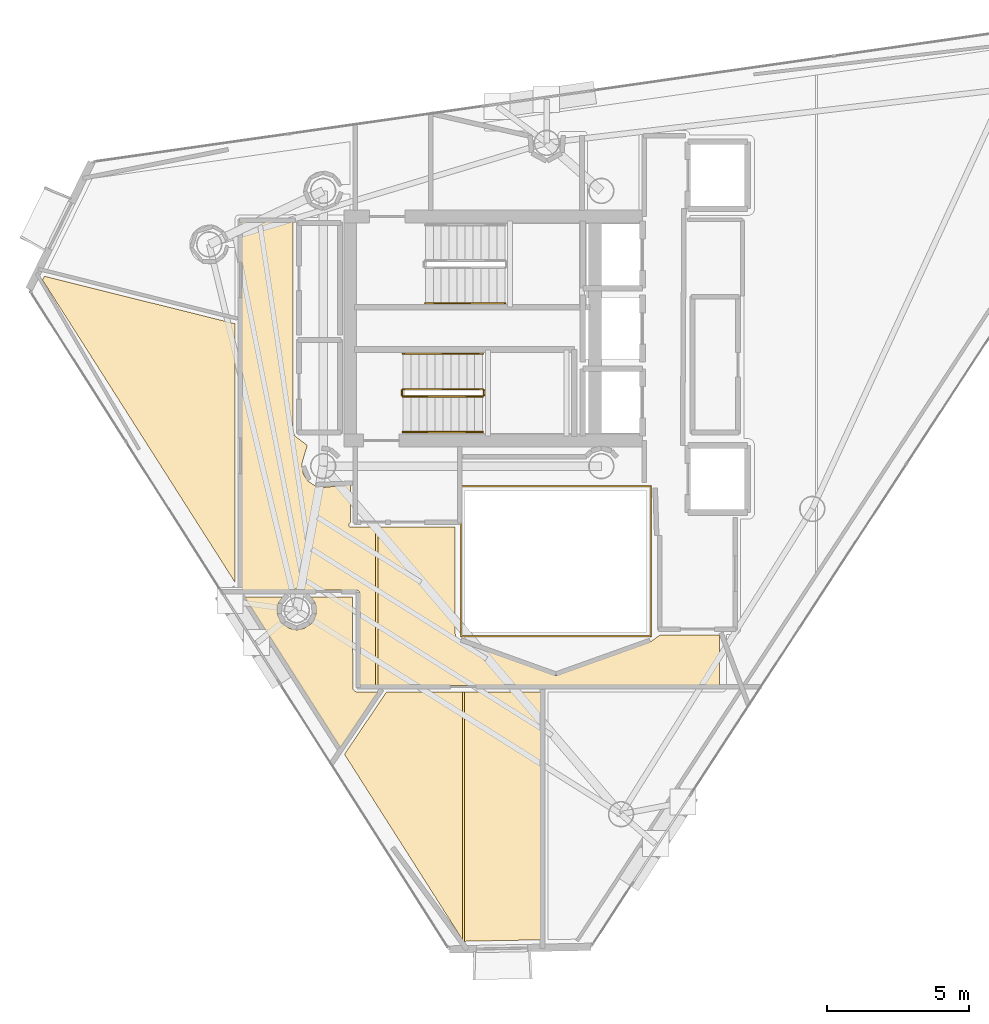
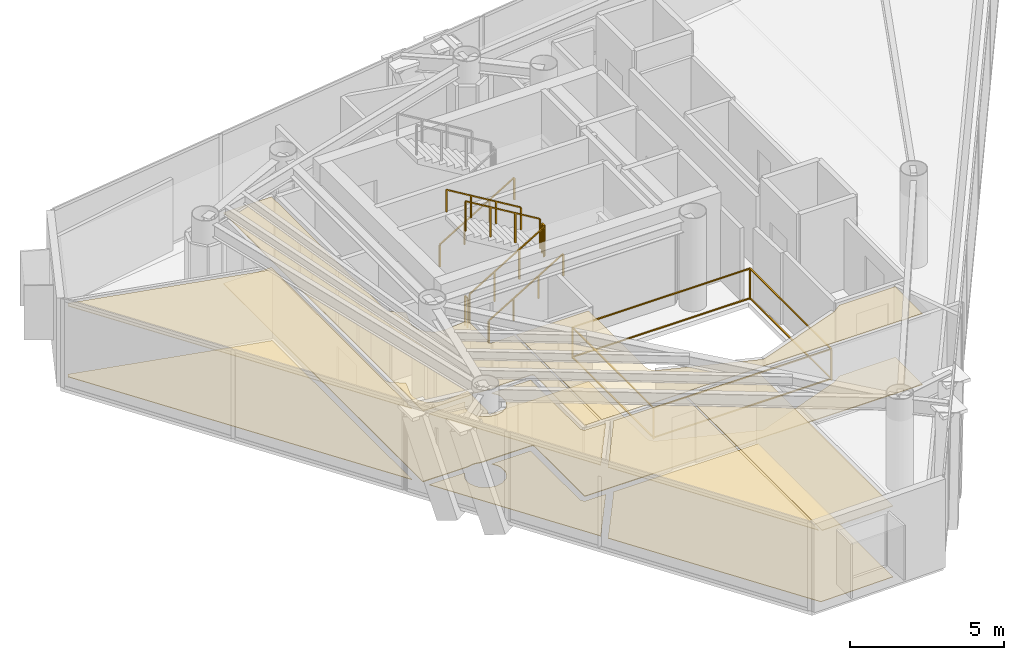
# One storey, part 23 of 25: 10 coverings, 8 railings.
"""IFC4 building model written with IfcOpenShell, lengths in metres."""

import ifcopenshell
import ifcopenshell.guid

model = None  # the IFC model being written
_history = None  # IfcOwnerHistory: only IFC2X3 demands one
_inside = {}  # id of a spatial element -> (the spatial element, [elements in it])
_under = {}  # id of a project, library or spatial element -> (it, [spatial elements below it])
_declared = {}  # id of a project -> (the project, [libraries it declares])
_typed = {}  # id of a type object -> (the type object, [elements of that type])
_made_of = {}  # id of a material, layer set ... -> (it, [elements and type objects made of it])


def new_model(schema):
    """Start an empty IFC model of exactly this schema.

    Asked for "IFC4X3", IfcOpenShell would pick the latest addendum, in which some entities
    have other attributes; the version numbers below select the first issue.
    IFC2X3 requires an IfcOwnerHistory on every rooted entity: one is made here for all.
    """
    global model, _history
    if schema == "IFC4X3":
        model = ifcopenshell.file(schema_version=(4, 3, 0, 0))
    else:
        model = ifcopenshell.file(schema=schema)
    _inside.clear()
    _under.clear()
    _declared.clear()
    _typed.clear()
    _made_of.clear()
    _history = None
    if model.schema == "IFC2X3":
        org = make("IfcOrganization", Name="unknown")
        user = make(
            "IfcPersonAndOrganization",
            ThePerson=make("IfcPerson", FamilyName="unknown"),
            TheOrganization=org,
        )
        app = make(
            "IfcApplication",
            ApplicationDeveloper=org,
            Version="unknown",
            ApplicationFullName="unknown",
            ApplicationIdentifier="unknown",
        )
        _history = make(
            "IfcOwnerHistory",
            OwningUser=user,
            OwningApplication=app,
            ChangeAction="ADDED",
            CreationDate=0,
        )
    return model


def make(cls, **values):
    """One entity of the class cls with the attributes given. An attribute that is None is left unset."""
    return model.create_entity(
        cls, **{name: value for name, value in values.items() if value is not None}
    )


def rooted(cls, **values):
    """An entity with a GlobalId (a new one), such as an element, a storey or a relation."""
    return make(cls, GlobalId=ifcopenshell.guid.new(), OwnerHistory=_history, **values)


def si_unit(unit_type, name, prefix=None):
    """IfcSIUnit, for example si_unit("LENGTHUNIT", "METRE", prefix="MILLI")."""
    return make("IfcSIUnit", UnitType=unit_type, Prefix=prefix, Name=name)


def assignment(units):
    """IfcUnitAssignment: the units of a project."""
    return None if units is None else make("IfcUnitAssignment", Units=units)


def point(xyz):
    """IfcCartesianPoint."""
    return None if xyz is None else make("IfcCartesianPoint", Coordinates=xyz)


def direction(xyz):
    """IfcDirection."""
    return None if xyz is None else make("IfcDirection", DirectionRatios=xyz)


def frame(location, z_axis=None, x_axis=None):
    """IfcAxis2Placement3D, a coordinate frame: its origin and axes. An axis left out is left unset."""
    return make(
        "IfcAxis2Placement3D",
        Location=point(location),
        Axis=direction(z_axis),
        RefDirection=direction(x_axis),
    )


def frame_2d(location, x_axis=None):
    """IfcAxis2Placement2D, a coordinate frame in the plane: its origin and x axis."""
    return make(
        "IfcAxis2Placement2D", Location=point(location), RefDirection=direction(x_axis)
    )


def origin():
    """The frame at (0, 0, 0) with its axes left unset."""
    return frame((0.0, 0.0, 0.0))


def origin_2d():
    """The frame at (0, 0) in the plane with its x axis left unset."""
    return frame_2d((0.0, 0.0))


def place(relative_to, where):
    """IfcLocalPlacement: puts the frame where relative to a parent placement (None: the world)."""
    return make(
        "IfcLocalPlacement", PlacementRelTo=relative_to, RelativePlacement=where
    )


def context(
    kind, dimensions, precision=None, world=None, true_north=None, identifier=None
):
    """IfcGeometricRepresentationContext, for example the 3D "Model" context."""
    return make(
        "IfcGeometricRepresentationContext",
        ContextIdentifier=identifier,
        ContextType=kind,
        CoordinateSpaceDimension=dimensions,
        Precision=precision,
        WorldCoordinateSystem=world,
        TrueNorth=true_north,
    )


def subcontext(parent, identifier, kind, view, scale=None):
    """IfcGeometricRepresentationSubContext, for example "Body" below "Model"."""
    return make(
        "IfcGeometricRepresentationSubContext",
        ContextIdentifier=identifier,
        ContextType=kind,
        ParentContext=parent,
        TargetScale=scale,
        TargetView=view,
    )


def project(units=None, contexts=None):
    """IfcProject with its units and contexts."""
    return rooted(
        "IfcProject",
        Name="project",
        RepresentationContexts=contexts,
        UnitsInContext=assignment(units),
    )


def spatial(cls, under=None, at=None, **own):
    """A site, building, storey or space (cls), placed at a placement, below another one or the project."""
    s = rooted(cls, ObjectPlacement=at, **own)
    if under is not None:
        _under.setdefault(under.id(), (under, []))[1].append(s)
    return s


def polyline(points):
    """IfcPolyline through the points."""
    return make("IfcPolyline", Points=[point(p) for p in points])


def profile(cls, at=None, kind="AREA", **sizes):
    """A parametric profile (cls). Its sizes go by their IFC names, for example OverallWidth=200.0."""
    return make(cls, ProfileType=kind, Position=at, **sizes)


def rectangle(**sizes):
    """IfcRectangleProfileDef."""
    return profile("IfcRectangleProfileDef", **sizes)


def outline(outer, holes=None, kind="AREA"):
    """IfcArbitraryClosedProfileDef: a profile drawn as a closed curve; with holes, ...WithVoids."""
    if holes is None:
        return make("IfcArbitraryClosedProfileDef", ProfileType=kind, OuterCurve=outer)
    return make(
        "IfcArbitraryProfileDefWithVoids",
        ProfileType=kind,
        OuterCurve=outer,
        InnerCurves=holes,
    )


def extrude(swept, where, along, depth):
    """IfcExtrudedAreaSolid: the profile swept, set in the frame where, extruded along a direction by depth."""
    return make(
        "IfcExtrudedAreaSolid",
        SweptArea=swept,
        Position=where,
        ExtrudedDirection=direction(along),
        Depth=depth,
    )


def shape(context_of_items, identifier, shape_type, items):
    """IfcShapeRepresentation: the items that make up one representation, for example the "Body"."""
    return make(
        "IfcShapeRepresentation",
        ContextOfItems=context_of_items,
        RepresentationIdentifier=identifier,
        RepresentationType=shape_type,
        Items=items,
    )


def material(Name=None, Category=None):
    """IfcMaterial."""
    return make("IfcMaterial", Name=Name, Category=Category)


def layer(
    of_material, thickness, ventilated=None, Name=None, Category=None, Priority=None
):
    """IfcMaterialLayer: one layer of a wall or slab, of a material (None: an air gap)."""
    return make(
        "IfcMaterialLayer",
        Material=of_material,
        LayerThickness=thickness,
        IsVentilated=ventilated,
        Name=Name,
        Category=Category,
        Priority=Priority,
    )


def layer_set(layers, Name=None):
    """IfcMaterialLayerSet."""
    return make("IfcMaterialLayerSet", MaterialLayers=layers, LayerSetName=Name)


def made_of(thing, what):
    """Note that an element or type object is made of a material, layer set ...; save() writes the relation."""
    if what is not None:
        _made_of.setdefault(what.id(), (what, []))[1].append(thing)
    return thing


def type_object(cls, material=None, **own):
    """A type object (cls), such as IfcWallType, which elements share."""
    return made_of(rooted(cls, **own), material)


def element(
    cls,
    number,
    at=None,
    inside=None,
    cuts=None,
    type_object=None,
    material=None,
    context=None,
    identifier="Body",
    shape_type=None,
    held_by="IfcProductDefinitionShape",
    body=None,
    shapes=None,
    **own,
):
    """One element of the class cls, such as IfcWall. Its Tag is "e" and its number.

    at: its placement. inside: the storey or other place that contains it. cuts: it is an
    opening in that element (IfcRelVoidsElement). A single representation is given by context,
    identifier, shape_type and body (its items); several are given by shapes. held_by: the class
    of the entity that holds the representations. save() writes the other relations.
    """
    e = rooted(cls, Tag="e%d" % number, ObjectPlacement=at, **own)
    if body is not None:
        shapes = [shape(context, identifier, shape_type, body)]
    if shapes is not None:
        e.Representation = make(held_by, Representations=shapes)
    if inside is not None:
        _inside.setdefault(inside.id(), (inside, []))[1].append(e)
    if cuts is not None:
        rooted(
            "IfcRelVoidsElement", RelatingBuildingElement=cuts, RelatedOpeningElement=e
        )
    if type_object is not None:
        _typed.setdefault(type_object.id(), (type_object, []))[1].append(e)
    return made_of(e, material)


def aggregate(whole, parts):
    """IfcRelAggregates: a whole, such as a stair, and the parts it consists of."""
    return rooted("IfcRelAggregates", RelatingObject=whole, RelatedObjects=parts)


def save(model, path):
    """Write the relations noted so far, then the file.

    IfcRelAggregates (storeys below a building ...), IfcRelContainedInSpatialStructure (elements
    in a storey), IfcRelDefinesByType, IfcRelAssociatesMaterial and IfcRelDeclares: one each for
    every whole, place, type object, material and project.
    """
    for whole, parts in _under.values():
        aggregate(whole, parts)
    for where, things in _inside.values():
        rooted(
            "IfcRelContainedInSpatialStructure",
            RelatedElements=things,
            RelatingStructure=where,
        )
    for kind, things in _typed.values():
        rooted("IfcRelDefinesByType", RelatedObjects=things, RelatingType=kind)
    for what, things in _made_of.values():
        rooted("IfcRelAssociatesMaterial", RelatedObjects=things, RelatingMaterial=what)
    for by, libraries in _declared.values():
        rooted("IfcRelDeclares", RelatingContext=by, RelatedDefinitions=libraries)
    model.write(path)


model = new_model("IFC4")

# Units and contexts
model_context = context("Model", 3, precision=1e-05, world=origin(), true_north=direction((0.0, 1.0)))
body_context = subcontext(model_context, "Body", "Model", "MODEL_VIEW")
ifc_project = project(units=[si_unit("LENGTHUNIT", "METRE"), si_unit("AREAUNIT", "SQUARE_METRE"), si_unit("VOLUMEUNIT", "CUBIC_METRE"), si_unit("PLANEANGLEUNIT", "RADIAN"), si_unit("MASSUNIT", "GRAM", prefix="KILO")], contexts=[model_context])

# Site, building, storey
site_placement = place(None, origin())
site = spatial("IfcSite", under=ifc_project, at=site_placement, CompositionType="ELEMENT")
building_placement = place(site_placement, origin())
building = spatial("IfcBuilding", under=site, at=building_placement, Name="Qianvela Tower", CompositionType="ELEMENT")
storey_placement = place(building_placement, frame((0.0, 0.0, 288.0)))
storey = spatial("IfcBuildingStorey", under=building, at=storey_placement, Name="L74", CompositionType="ELEMENT", Elevation=288.0)

# Coverings
ifc_material_1 = material(Name="Perforated Mineral Acoustic Ceiling Tile")
ifc_layer_1 = layer(ifc_material_1, 0.02490234375)
ifc_layer_set_1 = layer_set([ifc_layer_1], Name="Perforated Mineral Acoustic Ceiling Tile")
covering_type_1 = type_object("IfcCoveringType", Name="COV-CEIL-ACOUSTIC-25", PredefinedType="CEILING", material=ifc_layer_set_1)
covering_1_placement = place(storey_placement, frame((0.0, 0.0, 2.81494140625)))
element("IfcCovering", 1, at=covering_1_placement, inside=storey, type_object=covering_type_1, Name="L74 Acoustic Ceiling Bay 1 L74 Floor Corridor", PredefinedType="CEILING", context=body_context, shape_type="SweptSolid", body=[
    extrude(outline(polyline([(27.85009765625, 23.85009765625), (27.850341796875, 23.84228515625), (27.8515625, 23.83447265625), (27.902587890625, 23.577880859375), (27.904296875, 23.5703125), (27.906982421875, 23.56298828125), (27.910400390625, 23.555908203125), (27.91455078125, 23.54931640625), (28.059814453125, 23.331787109375), (28.064453125, 23.325439453125), (28.069580078125, 23.319580078125), (28.075439453125, 23.314453125), (28.081787109375, 23.309814453125), (28.29931640625, 23.16455078125), (28.305908203125, 23.160400390625), (28.31298828125, 23.156982421875), (28.3203125, 23.154296875), (28.327880859375, 23.152587890625), (28.58447265625, 23.1015625), (28.59228515625, 23.100341796875), (28.60009765625, 23.10009765625), (28.60791015625, 23.100341796875), (29.55810546875, 23.194091796875), (29.55810546875, 21.877685546875), (29.52001953125, 21.82958984375), (29.515380859375, 21.822998046875), (29.51171875, 21.81640625), (29.508544921875, 21.809326171875), (29.506103515625, 21.802001953125), (29.504150390625, 21.794189453125), (29.503173828125, 21.78662109375), (29.5029296875, 21.77880859375), (29.50341796875, 21.77099609375), (29.504638671875, 21.763427734375), (29.506591796875, 21.755859375), (29.50927734375, 21.74853515625), (29.5126953125, 21.74169921875), (29.516845703125, 21.735107421875), (29.521484375, 21.728759765625), (29.52685546875, 21.722900390625), (29.53271484375, 21.7177734375), (29.538818359375, 21.713134765625), (29.54541015625, 21.709228515625), (29.552490234375, 21.7060546875), (29.559814453125, 21.703369140625), (29.5673828125, 21.701416015625), (29.5751953125, 21.700439453125), (29.5830078125, 21.699951171875), (30.443115234375, 21.699951171875), (30.443115234375, 16.1298828125), (29.8798828125, 16.1298828125), (29.8798828125, 19.39990234375), (29.879638671875, 19.40771484375), (29.87841796875, 19.41552734375), (29.876708984375, 19.423095703125), (29.873779296875, 19.4306640625), (29.87060546875, 19.437744140625), (29.866455078125, 19.4443359375), (29.86181640625, 19.45068359375), (29.856689453125, 19.45654296875), (29.850830078125, 19.4619140625), (29.844482421875, 19.466552734375), (29.837646484375, 19.470703125), (29.83056640625, 19.473876953125), (29.8232421875, 19.4765625), (29.815673828125, 19.478515625), (29.807861328125, 19.4794921875), (29.800048828125, 19.47998046875), (27.910888671875, 19.47998046875), (27.684814453125, 19.522705078125), (27.677490234375, 19.523681640625), (27.669921875, 19.52392578125), (27.66259765625, 19.523681640625), (27.6552734375, 19.522705078125), (27.42919921875, 19.47998046875), (25.72998046875, 19.47998046875), (25.72998046875, 32.469970703125), (27.5400390625, 32.469970703125), (27.5400390625, 25.04638671875), (27.540283203125, 25.038818359375), (27.54150390625, 25.03125), (27.543212890625, 25.023681640625), (27.545654296875, 25.0166015625), (27.548828125, 25.009765625), (27.552734375, 25.003173828125), (27.61328125, 24.90869140625), (27.61767578125, 24.90283203125), (27.622314453125, 24.8974609375), (27.62744140625, 24.892333984375), (27.633056640625, 24.8876953125), (28.042236328125, 24.584228515625), (27.8662109375, 24.00390625), (27.864501953125, 23.996337890625), (27.86328125, 23.988525390625), (27.850341796875, 23.85791015625), (27.85009765625, 23.85009765625)])), origin(), (0.0, 0.0, 1.0), 0.025146484375),
])
covering_2_placement = place(storey_placement, frame((0.0, 0.0, 2.81494140625)))
element("IfcCovering", 2, at=covering_2_placement, inside=storey, type_object=covering_type_1, Name="L74 Acoustic Ceiling Bay 2 L74 Floor Corridor", PredefinedType="CEILING", context=body_context, shape_type="SweptSolid", body=[
    extrude(outline(polyline([(33.239990234375, 21.699951171875), (33.239990234375, 18.0), (33.240478515625, 17.990234375), (33.242431640625, 17.980712890625), (33.275390625, 17.8486328125), (33.277587890625, 17.841796875), (33.2802734375, 17.8349609375), (33.283447265625, 17.82861328125), (33.287353515625, 17.822509765625), (33.29150390625, 17.81689453125), (33.29638671875, 17.811279296875), (33.411376953125, 17.696533203125), (33.41796875, 17.690673828125), (33.42529296875, 17.685546875), (33.432861328125, 17.68115234375), (33.44091796875, 17.677734375), (36.77294921875, 16.482666015625), (36.780517578125, 16.48046875), (36.7880859375, 16.47900390625), (36.7958984375, 16.47802734375), (36.803955078125, 16.47802734375), (36.811767578125, 16.47900390625), (36.8193359375, 16.48046875), (36.826904296875, 16.482666015625), (40.134033203125, 17.666015625), (40.140869140625, 17.668701171875), (40.1474609375, 17.672119140625), (40.153564453125, 17.676025390625), (40.458740234375, 17.89306640625), (42.570068359375, 17.899658203125), (42.570068359375, 16.1298828125), (30.523193359375, 16.1298828125), (30.523193359375, 21.699951171875), (33.239990234375, 21.699951171875)])), origin(), (0.0, 0.0, 1.0), 0.025146484375),
])
covering_3_placement = place(storey_placement, frame((0.0, 0.0, 2.81494140625)))
element("IfcCovering", 3, at=covering_3_placement, inside=storey, type_object=covering_type_1, Name="L74 Acoustic Ceiling Shared Communal Kitchen L74-01", PredefinedType="CEILING", context=body_context, shape_type="SweptSolid", body=[
    extrude(outline(polyline([(27.16552734375, 19.239990234375), (27.039794921875, 19.052001953125), (27.035888671875, 19.045166015625), (27.032470703125, 19.0380859375), (27.02978515625, 19.03076171875), (26.9951171875, 18.916259765625), (26.993408203125, 18.90869140625), (26.9921875, 18.90087890625), (26.99169921875, 18.89306640625), (26.99169921875, 18.655029296875), (26.9921875, 18.647216796875), (26.993408203125, 18.639404296875), (26.9951171875, 18.6318359375), (26.997802734375, 18.62451171875), (27.0888671875, 18.404541015625), (27.09228515625, 18.3974609375), (27.09619140625, 18.390625), (27.10107421875, 18.384521484375), (27.1767578125, 18.2919921875), (27.18212890625, 18.2861328125), (27.18798828125, 18.28076171875), (27.194091796875, 18.276123046875), (27.39208984375, 18.143798828125), (27.39892578125, 18.139892578125), (27.406005859375, 18.136474609375), (27.413330078125, 18.1337890625), (27.4208984375, 18.132080078125), (27.654296875, 18.08544921875), (27.662109375, 18.08447265625), (27.669921875, 18.083984375), (27.677734375, 18.08447265625), (27.685546875, 18.08544921875), (27.9189453125, 18.132080078125), (27.9267578125, 18.1337890625), (27.93408203125, 18.136474609375), (27.941162109375, 18.139892578125), (27.947998046875, 18.143798828125), (28.145751953125, 18.276123046875), (28.152099609375, 18.28076171875), (28.157958984375, 18.2861328125), (28.1630859375, 18.2919921875), (28.239013671875, 18.384521484375), (28.24365234375, 18.390625), (28.247802734375, 18.3974609375), (28.251220703125, 18.404541015625), (28.34228515625, 18.62451171875), (28.3447265625, 18.6318359375), (28.3466796875, 18.639404296875), (28.347900390625, 18.647216796875), (28.348388671875, 18.655029296875), (28.348388671875, 18.89306640625), (28.347900390625, 18.90087890625), (28.3466796875, 18.90869140625), (28.3447265625, 18.916259765625), (28.31005859375, 19.03076171875), (28.3076171875, 19.0380859375), (28.30419921875, 19.045166015625), (28.300048828125, 19.052001953125), (28.17431640625, 19.239990234375), (29.64013671875, 19.239990234375), (29.643310546875, 16.026611328125), (29.643798828125, 16.018798828125), (29.64501953125, 16.010986328125), (29.64697265625, 16.00341796875), (29.649658203125, 15.99609375), (29.65283203125, 15.989013671875), (29.656982421875, 15.982421875), (29.66162109375, 15.97607421875), (29.6669921875, 15.97021484375), (29.672607421875, 15.96484375), (29.741455078125, 15.908447265625), (29.747802734375, 15.90380859375), (29.75439453125, 15.89990234375), (29.761474609375, 15.896484375), (29.768798828125, 15.893798828125), (29.776611328125, 15.891845703125), (29.7841796875, 15.890869140625), (29.7919921875, 15.890380859375), (30.53369140625, 15.89013671875), (29.20703125, 13.92333984375), (25.822509765625, 19.239990234375), (27.16552734375, 19.239990234375)])), origin(), (0.0, 0.0, 1.0), 0.025146484375),
])
covering_4_placement = place(storey_placement, frame((0.0, 0.0, 2.81494140625)))
element("IfcCovering", 4, at=covering_4_placement, inside=storey, type_object=covering_type_1, Name="L74 Acoustic Ceiling Bay 1 Student Tea Pantry L74-02", PredefinedType="CEILING", context=body_context, shape_type="SweptSolid", body=[
    extrude(outline(polyline([(33.506591796875, 15.891357421875), (33.506591796875, 7.169189453125), (29.35009765625, 13.698974609375), (30.827880859375, 15.889892578125), (33.506591796875, 15.891357421875)])), origin(), (0.0, 0.0, 1.0), 0.025146484375),
])
covering_5_placement = place(storey_placement, frame((0.0, 0.0, 2.81494140625)))
element("IfcCovering", 5, at=covering_5_placement, inside=storey, type_object=covering_type_1, Name="L74 Acoustic Ceiling Bay 2 Student Tea Pantry L74-02", PredefinedType="CEILING", context=body_context, shape_type="SweptSolid", body=[
    extrude(outline(polyline([(36.27880859375, 15.892822265625), (36.27880859375, 7.162109375), (33.586669921875, 7.11083984375), (33.586669921875, 15.891357421875), (36.27880859375, 15.892822265625)])), origin(), (0.0, 0.0, 1.0), 0.025146484375),
])
covering_6_placement = place(storey_placement, frame((0.0, 0.0, 2.81494140625)))
element("IfcCovering", 6, at=covering_6_placement, inside=storey, type_object=covering_type_1, Name="L74 Acoustic Ceiling Student Wellness Lounge L74-05", PredefinedType="CEILING", context=body_context, shape_type="SweptSolid", body=[
    extrude(outline(polyline([(25.489990234375, 28.86865234375), (25.489990234375, 19.762451171875), (18.711181640625, 30.411376953125), (18.775634765625, 30.542724609375), (25.489990234375, 28.86865234375)])), origin(), (0.0, 0.0, 1.0), 0.025146484375),
])
ifc_material_2 = material(Name="Engineered Acoustic Oak Timber Flooring", Category="wood")
ifc_layer_2 = layer(ifc_material_2, 0.02001953125)
ifc_layer_set_2 = layer_set([ifc_layer_2], Name="Engineered Acoustic Oak Timber Flooring")
covering_type_2 = type_object("IfcCoveringType", Name="COV-FLOOR-OAK-20", PredefinedType="FLOORING", material=ifc_layer_set_2)
covering_7_placement = place(storey_placement, origin())
element("IfcCovering", 7, at=covering_7_placement, inside=storey, type_object=covering_type_2, Name="L74 Finish Flooring Shared Communal Kitchen L74-01", PredefinedType="FLOORING", context=body_context, shape_type="SweptSolid", body=[
    extrude(outline(polyline([(27.16552734375, 19.239990234375), (27.039794921875, 19.052001953125), (27.035888671875, 19.045166015625), (27.032470703125, 19.0380859375), (27.02978515625, 19.03076171875), (26.9951171875, 18.916259765625), (26.993408203125, 18.90869140625), (26.9921875, 18.90087890625), (26.99169921875, 18.89306640625), (26.99169921875, 18.655029296875), (26.9921875, 18.647216796875), (26.993408203125, 18.639404296875), (26.9951171875, 18.6318359375), (26.997802734375, 18.62451171875), (27.0888671875, 18.404541015625), (27.09228515625, 18.3974609375), (27.09619140625, 18.390625), (27.10107421875, 18.384521484375), (27.1767578125, 18.2919921875), (27.18212890625, 18.2861328125), (27.18798828125, 18.28076171875), (27.194091796875, 18.276123046875), (27.39208984375, 18.143798828125), (27.39892578125, 18.139892578125), (27.406005859375, 18.136474609375), (27.413330078125, 18.1337890625), (27.4208984375, 18.132080078125), (27.654296875, 18.08544921875), (27.662109375, 18.08447265625), (27.669921875, 18.083984375), (27.677734375, 18.08447265625), (27.685546875, 18.08544921875), (27.9189453125, 18.132080078125), (27.9267578125, 18.1337890625), (27.93408203125, 18.136474609375), (27.941162109375, 18.139892578125), (27.947998046875, 18.143798828125), (28.145751953125, 18.276123046875), (28.152099609375, 18.28076171875), (28.157958984375, 18.2861328125), (28.1630859375, 18.2919921875), (28.239013671875, 18.384521484375), (28.24365234375, 18.390625), (28.247802734375, 18.3974609375), (28.251220703125, 18.404541015625), (28.34228515625, 18.62451171875), (28.3447265625, 18.6318359375), (28.3466796875, 18.639404296875), (28.347900390625, 18.647216796875), (28.348388671875, 18.655029296875), (28.348388671875, 18.89306640625), (28.347900390625, 18.90087890625), (28.3466796875, 18.90869140625), (28.3447265625, 18.916259765625), (28.31005859375, 19.03076171875), (28.3076171875, 19.0380859375), (28.30419921875, 19.045166015625), (28.300048828125, 19.052001953125), (28.17431640625, 19.239990234375), (29.64013671875, 19.239990234375), (29.643310546875, 16.026611328125), (29.643798828125, 16.018798828125), (29.64501953125, 16.010986328125), (29.64697265625, 16.00341796875), (29.649658203125, 15.99609375), (29.65283203125, 15.989013671875), (29.656982421875, 15.982421875), (29.66162109375, 15.97607421875), (29.6669921875, 15.97021484375), (29.672607421875, 15.96484375), (29.741455078125, 15.908447265625), (29.747802734375, 15.90380859375), (29.75439453125, 15.89990234375), (29.761474609375, 15.896484375), (29.768798828125, 15.893798828125), (29.776611328125, 15.891845703125), (29.7841796875, 15.890869140625), (29.7919921875, 15.890380859375), (30.53369140625, 15.89013671875), (29.20703125, 13.92333984375), (25.822509765625, 19.239990234375), (27.16552734375, 19.239990234375)])), origin(), (0.0, 0.0, 1.0), 0.02001953125),
])
covering_8_placement = place(storey_placement, origin())
element("IfcCovering", 8, at=covering_8_placement, inside=storey, type_object=covering_type_2, Name="L74 Finish Flooring Student Tea Pantry L74-02", PredefinedType="FLOORING", context=body_context, shape_type="SweptSolid", body=[
    extrude(outline(polyline([(30.827880859375, 15.889892578125), (36.27880859375, 15.892822265625), (36.27880859375, 7.162109375), (33.54443359375, 7.110107421875), (29.35009765625, 13.698974609375), (30.827880859375, 15.889892578125)])), origin(), (0.0, 0.0, 1.0), 0.02001953125),
])
covering_9_placement = place(storey_placement, origin())
element("IfcCovering", 9, at=covering_9_placement, inside=storey, type_object=covering_type_2, Name="L74 Finish Flooring Student Wellness Lounge L74-05", PredefinedType="FLOORING", context=body_context, shape_type="SweptSolid", body=[
    extrude(outline(polyline([(25.489990234375, 28.86865234375), (25.489990234375, 19.762451171875), (18.711181640625, 30.411376953125), (18.775634765625, 30.542724609375), (25.489990234375, 28.86865234375)])), origin(), (0.0, 0.0, 1.0), 0.02001953125),
])
ifc_material_3 = material(Name="Honed Stone Terrazzo Flooring", Category="masonry")
ifc_layer_3 = layer(ifc_material_3, 0.030029296875)
ifc_layer_set_3 = layer_set([ifc_layer_3], Name="Honed Stone Terrazzo Flooring")
covering_type_3 = type_object("IfcCoveringType", Name="COV-FLOOR-TERRAZZO-30", PredefinedType="FLOORING", material=ifc_layer_set_3)
covering_10_placement = place(storey_placement, origin())
element("IfcCovering", 10, at=covering_10_placement, inside=storey, type_object=covering_type_3, Name="L74 Finish Flooring L74 Floor Corridor", PredefinedType="FLOORING", context=body_context, shape_type="SweptSolid", body=[
    extrude(outline(polyline([(27.850341796875, 23.85791015625), (27.85009765625, 23.85009765625), (27.850341796875, 23.84228515625), (27.8515625, 23.83447265625), (27.902587890625, 23.577880859375), (27.904296875, 23.5703125), (27.906982421875, 23.56298828125), (27.910400390625, 23.555908203125), (27.91455078125, 23.54931640625), (28.059814453125, 23.331787109375), (28.064453125, 23.325439453125), (28.069580078125, 23.319580078125), (28.075439453125, 23.314453125), (28.081787109375, 23.309814453125), (28.29931640625, 23.16455078125), (28.305908203125, 23.160400390625), (28.31298828125, 23.156982421875), (28.3203125, 23.154296875), (28.327880859375, 23.152587890625), (28.58447265625, 23.1015625), (28.59228515625, 23.100341796875), (28.60009765625, 23.10009765625), (28.60791015625, 23.100341796875), (29.55810546875, 23.194091796875), (29.55810546875, 21.877685546875), (29.52001953125, 21.82958984375), (29.515380859375, 21.822998046875), (29.51171875, 21.81640625), (29.508544921875, 21.809326171875), (29.506103515625, 21.802001953125), (29.504150390625, 21.794189453125), (29.503173828125, 21.78662109375), (29.5029296875, 21.77880859375), (29.50341796875, 21.77099609375), (29.504638671875, 21.763427734375), (29.506591796875, 21.755859375), (29.50927734375, 21.74853515625), (29.5126953125, 21.74169921875), (29.516845703125, 21.735107421875), (29.521484375, 21.728759765625), (29.52685546875, 21.722900390625), (29.53271484375, 21.7177734375), (29.538818359375, 21.713134765625), (29.54541015625, 21.709228515625), (29.552490234375, 21.7060546875), (29.559814453125, 21.703369140625), (29.5673828125, 21.701416015625), (29.5751953125, 21.700439453125), (29.5830078125, 21.699951171875), (33.239990234375, 21.699951171875), (33.239990234375, 18.0), (33.240478515625, 17.990234375), (33.242431640625, 17.980712890625), (33.275390625, 17.8486328125), (33.277587890625, 17.841796875), (33.2802734375, 17.8349609375), (33.283447265625, 17.82861328125), (33.287353515625, 17.822509765625), (33.29150390625, 17.81689453125), (33.29638671875, 17.811279296875), (33.411376953125, 17.696533203125), (33.41796875, 17.690673828125), (33.42529296875, 17.685546875), (33.432861328125, 17.68115234375), (33.44091796875, 17.677734375), (36.77294921875, 16.482666015625), (36.780517578125, 16.48046875), (36.7880859375, 16.47900390625), (36.7958984375, 16.47802734375), (36.803955078125, 16.47802734375), (36.811767578125, 16.47900390625), (36.8193359375, 16.48046875), (36.826904296875, 16.482666015625), (40.134033203125, 17.666015625), (40.140869140625, 17.668701171875), (40.1474609375, 17.672119140625), (40.153564453125, 17.676025390625), (40.458740234375, 17.89306640625), (42.570068359375, 17.899658203125), (42.570068359375, 16.1298828125), (29.8798828125, 16.1298828125), (29.8798828125, 19.39990234375), (29.879638671875, 19.40771484375), (29.87841796875, 19.41552734375), (29.876708984375, 19.423095703125), (29.873779296875, 19.4306640625), (29.87060546875, 19.437744140625), (29.866455078125, 19.4443359375), (29.86181640625, 19.45068359375), (29.856689453125, 19.45654296875), (29.850830078125, 19.4619140625), (29.844482421875, 19.466552734375), (29.837646484375, 19.470703125), (29.83056640625, 19.473876953125), (29.8232421875, 19.4765625), (29.815673828125, 19.478515625), (29.807861328125, 19.4794921875), (29.800048828125, 19.47998046875), (27.910888671875, 19.47998046875), (27.684814453125, 19.522705078125), (27.677490234375, 19.523681640625), (27.669921875, 19.52392578125), (27.66259765625, 19.523681640625), (27.6552734375, 19.522705078125), (27.42919921875, 19.47998046875), (25.72998046875, 19.47998046875), (25.72998046875, 32.469970703125), (27.5400390625, 32.469970703125), (27.5400390625, 25.04638671875), (27.540283203125, 25.038818359375), (27.54150390625, 25.03125), (27.543212890625, 25.023681640625), (27.545654296875, 25.0166015625), (27.548828125, 25.009765625), (27.552734375, 25.003173828125), (27.61328125, 24.90869140625), (27.61767578125, 24.90283203125), (27.622314453125, 24.8974609375), (27.62744140625, 24.892333984375), (27.633056640625, 24.8876953125), (28.042236328125, 24.584228515625), (27.8662109375, 24.00390625), (27.864501953125, 23.996337890625), (27.86328125, 23.988525390625), (27.850341796875, 23.85791015625)])), origin(), (0.0, 0.0, 1.0), 0.030029296875),
])

# Railings
ifc_material_4 = material(Name="Laminated Safety Glass and Stainless Steel 316", Category="steel")
railing_type_1 = type_object("IfcRailingType", Name="RL-ATRIUM-GUARD-1250", PredefinedType="GUARDRAIL", material=ifc_material_4)
railing_1_placement = place(storey_placement, frame((33.4599609375, 17.860107421875, 0.0)))
element("IfcRailing", 11, at=railing_1_placement, inside=storey, type_object=railing_type_1, Name="L74 Atrium Edge Guardrail 1", PredefinedType="GUARDRAIL", context=body_context, shape_type="SweptSolid", body=[
    extrude(rectangle(XDim=0.050048828125, YDim=0.0400390625, at=origin_2d()), frame((0.0, 0.0, 1.22998046875), z_axis=(0.0, 1.0, 0.0), x_axis=(-1.0, 0.0, 0.0)), (0.0, 0.0, 1.0), 5.27978515625),
    extrude(rectangle(XDim=0.050048828125, YDim=0.0400390625, at=origin_2d()), frame((0.0, 0.0, 0.050048828125), z_axis=(0.0, 1.0, 0.0), x_axis=(-1.0, 0.0, 0.0)), (0.0, 0.0, 1.0), 5.27978515625),
    extrude(rectangle(XDim=0.050048828125, YDim=0.0400390625, at=origin_2d()), frame((0.0, 5.27978515625, 1.22998046875), z_axis=(1.0, 0.0, 0.0), x_axis=(0.0, 1.0, 0.0)), (0.0, 0.0, 1.0), 6.679931640625),
    extrude(rectangle(XDim=0.050048828125, YDim=0.0400390625, at=origin_2d()), frame((0.0, 5.27978515625, 0.050048828125), z_axis=(1.0, 0.0, 0.0), x_axis=(0.0, 1.0, 0.0)), (0.0, 0.0, 1.0), 6.679931640625),
    extrude(rectangle(XDim=0.050048828125, YDim=0.0400390625, at=origin_2d()), frame((6.679931640625, 5.27978515625, 1.22998046875), z_axis=(0.0, -1.0, 0.0), x_axis=(1.0, 0.0, 0.0)), (0.0, 0.0, 1.0), 5.27978515625),
    extrude(rectangle(XDim=0.050048828125, YDim=0.0400390625, at=origin_2d()), frame((6.679931640625, 5.27978515625, 0.050048828125), z_axis=(0.0, -1.0, 0.0), x_axis=(1.0, 0.0, 0.0)), (0.0, 0.0, 1.0), 5.27978515625),
    extrude(rectangle(XDim=0.050048828125, YDim=0.0400390625, at=origin_2d()), frame((6.679931640625, 0.0, 1.22998046875), z_axis=(-1.0, 0.0, 0.0), x_axis=(0.0, -1.0, 0.0)), (0.0, 0.0, 1.0), 6.679931640625),
    extrude(rectangle(XDim=0.050048828125, YDim=0.0400390625, at=origin_2d()), frame((6.679931640625, 0.0, 0.050048828125), z_axis=(-1.0, 0.0, 0.0), x_axis=(0.0, -1.0, 0.0)), (0.0, 0.0, 1.0), 6.679931640625),
    extrude(rectangle(XDim=0.050048828125, YDim=0.050048828125, at=origin_2d()), origin(), (0.0, 0.0, 1.0), 1.2099609375),
    extrude(rectangle(XDim=0.050048828125, YDim=0.050048828125, at=origin_2d()), frame((0.0, 5.27978515625, 0.0)), (0.0, 0.0, 1.0), 1.2099609375),
    extrude(rectangle(XDim=0.050048828125, YDim=0.050048828125, at=origin_2d()), frame((6.679931640625, 5.27978515625, 0.0)), (0.0, 0.0, 1.0), 1.2099609375),
    extrude(rectangle(XDim=0.050048828125, YDim=0.050048828125, at=origin_2d()), frame((6.679931640625, 0.0, 0.0)), (0.0, 0.0, 1.0), 1.2099609375),
])
ifc_material_5 = material(Name="Painted Tubular Steel Q355B", Category="steel")
railing_type_2 = type_object("IfcRailingType", Name="RL-STAIR-GUARD-1200", PredefinedType="GUARDRAIL", material=ifc_material_5)
railing_2_placement = place(storey_placement, frame((31.419921875, 26.300048828125, 0.168212890625)))
element("IfcRailing", 12, at=railing_2_placement, inside=storey, type_object=railing_type_2, Name="L74 ST-2 stair guard 1", PredefinedType="GUARDRAIL", context=body_context, shape_type="SweptSolid", body=[
    extrude(rectangle(XDim=0.050048828125, YDim=0.0400390625, at=origin_2d()), frame((0.0, 0.0, 1.179931640625), z_axis=(0.857242210791, 0.0, 0.514913383045), x_axis=(0.0, 1.0, 0.0)), (0.0, 0.0, 1.0), 3.266357421875),
    extrude(rectangle(XDim=0.050048828125, YDim=0.050048828125, at=origin_2d()), origin(), (0.0, 0.0, 1.0), 1.159912109375),
    extrude(rectangle(XDim=0.050048828125, YDim=0.050048828125, at=origin_2d()), frame((0.933349609375, 0.0, 0.560546875)), (0.0, 0.0, 1.0), 1.159912109375),
    extrude(rectangle(XDim=0.050048828125, YDim=0.050048828125, at=origin_2d()), frame((1.86669921875, 0.0, 1.121337890625)), (0.0, 0.0, 1.0), 1.159912109375),
    extrude(rectangle(XDim=0.050048828125, YDim=0.050048828125, at=origin_2d()), frame((2.800048828125, 0.0, 1.681884765625)), (0.0, 0.0, 1.0), 1.159912109375),
])
railing_3_placement = place(storey_placement, frame((34.27001953125, 26.35009765625, 1.85009765625)))
element("IfcRailing", 13, at=railing_3_placement, inside=storey, type_object=railing_type_2, Name="L74 ST-2 stair guard 2", PredefinedType="GUARDRAIL", context=body_context, shape_type="SweptSolid", body=[
    extrude(rectangle(XDim=0.050048828125, YDim=0.0400390625, at=origin_2d()), frame((0.0, 0.0, 1.179931640625), z_axis=(0.0, 1.0, 0.0), x_axis=(-1.0, 0.0, 0.0)), (0.0, 0.0, 1.0), 0.159912109375),
    extrude(rectangle(XDim=0.050048828125, YDim=0.050048828125, at=origin_2d()), origin(), (0.0, 0.0, 1.0), 1.159912109375),
    extrude(rectangle(XDim=0.050048828125, YDim=0.050048828125, at=origin_2d()), frame((0.0, 0.159912109375, 0.0)), (0.0, 0.0, 1.0), 1.159912109375),
])
railing_4_placement = place(storey_placement, frame((34.219970703125, 26.56005859375, 2.01806640625)))
element("IfcRailing", 14, at=railing_4_placement, inside=storey, type_object=railing_type_2, Name="L74 ST-2 stair guard 3", PredefinedType="GUARDRAIL", context=body_context, shape_type="SweptSolid", body=[
    extrude(rectangle(XDim=0.050048828125, YDim=0.0400390625, at=origin_2d()), frame((0.0, 0.0, 1.179931640625), z_axis=(-0.857242210791, 0.0, 0.514913383045), x_axis=(0.0, -1.0, 0.0)), (0.0, 0.0, 1.0), 3.266357421875),
    extrude(rectangle(XDim=0.050048828125, YDim=0.050048828125, at=origin_2d()), origin(), (0.0, 0.0, 1.0), 1.159912109375),
    extrude(rectangle(XDim=0.050048828125, YDim=0.050048828125, at=origin_2d()), frame((-0.933349609375, 0.0, 0.560546875)), (0.0, 0.0, 1.0), 1.159912109375),
    extrude(rectangle(XDim=0.050048828125, YDim=0.050048828125, at=origin_2d()), frame((-1.86669921875, 0.0, 1.121337890625)), (0.0, 0.0, 1.0), 1.159912109375),
    extrude(rectangle(XDim=0.050048828125, YDim=0.050048828125, at=origin_2d()), frame((-2.800048828125, 0.0, 1.681884765625)), (0.0, 0.0, 1.0), 1.159912109375),
])
railing_5_placement = place(storey_placement, frame((31.3701171875, 26.35009765625, 0.0)))
element("IfcRailing", 15, at=railing_5_placement, inside=storey, type_object=railing_type_2, Name="L74 ST-2 stair guard 4", PredefinedType="GUARDRAIL", context=body_context, shape_type="SweptSolid", body=[
    extrude(rectangle(XDim=0.050048828125, YDim=0.0400390625, at=origin_2d()), frame((0.0, 0.0, 1.179931640625), z_axis=(0.0, 1.0, 0.0), x_axis=(-1.0, 0.0, 0.0)), (0.0, 0.0, 1.0), 0.159912109375),
    extrude(rectangle(XDim=0.050048828125, YDim=0.050048828125, at=origin_2d()), origin(), (0.0, 0.0, 1.0), 1.159912109375),
    extrude(rectangle(XDim=0.050048828125, YDim=0.050048828125, at=origin_2d()), frame((0.0, 0.159912109375, 0.0)), (0.0, 0.0, 1.0), 1.159912109375),
])
ifc_material_6 = material(Name="Brushed Stainless Steel 304", Category="steel")
railing_type_3 = type_object("IfcRailingType", Name="RL-STAIR-HANDRAIL-900", PredefinedType="HANDRAIL", material=ifc_material_6)
for number, where, name in (
    (16, (32.199951171875, 29.590087890625, 0.168212890625), "L74 ST-1 stair handrail 1"),
    (17, (31.419921875, 25.050048828125, 0.168212890625), "L74 ST-2 stair handrail 1"),
):
    element("IfcRailing", number, at=place(storey_placement, frame(where)), inside=storey, type_object=railing_type_3, Name=name, PredefinedType="HANDRAIL", context=body_context, shape_type="SweptSolid", body=[
        extrude(rectangle(XDim=0.050048828125, YDim=0.0400390625, at=origin_2d()), frame((0.0, 0.0, 0.8798828125), z_axis=(0.857242210791, 0.0, 0.514913383045), x_axis=(0.0, 1.0, 0.0)), (0.0, 0.0, 1.0), 3.266357421875),
        extrude(rectangle(XDim=0.050048828125, YDim=0.050048828125, at=origin_2d()), origin(), (0.0, 0.0, 1.0), 0.85986328125),
        extrude(rectangle(XDim=0.050048828125, YDim=0.050048828125, at=origin_2d()), frame((0.933349609375, 0.0, 0.560546875)), (0.0, 0.0, 1.0), 0.85986328125),
        extrude(rectangle(XDim=0.050048828125, YDim=0.050048828125, at=origin_2d()), frame((1.86669921875, 0.0, 1.121337890625)), (0.0, 0.0, 1.0), 0.85986328125),
        extrude(rectangle(XDim=0.050048828125, YDim=0.050048828125, at=origin_2d()), frame((2.800048828125, 0.0, 1.681884765625)), (0.0, 0.0, 1.0), 0.85986328125),
    ])
railing_6_placement = place(storey_placement, frame((34.219970703125, 27.81005859375, 2.01806640625)))
element("IfcRailing", 18, at=railing_6_placement, inside=storey, type_object=railing_type_3, Name="L74 ST-2 stair handrail 2", PredefinedType="HANDRAIL", context=body_context, shape_type="SweptSolid", body=[
    extrude(rectangle(XDim=0.050048828125, YDim=0.0400390625, at=origin_2d()), frame((0.0, 0.0, 0.8798828125), z_axis=(-0.857242210791, 0.0, 0.514913383045), x_axis=(0.0, -1.0, 0.0)), (0.0, 0.0, 1.0), 3.266357421875),
    extrude(rectangle(XDim=0.050048828125, YDim=0.050048828125, at=origin_2d()), origin(), (0.0, 0.0, 1.0), 0.85986328125),
    extrude(rectangle(XDim=0.050048828125, YDim=0.050048828125, at=origin_2d()), frame((-0.933349609375, 0.0, 0.560546875)), (0.0, 0.0, 1.0), 0.85986328125),
    extrude(rectangle(XDim=0.050048828125, YDim=0.050048828125, at=origin_2d()), frame((-1.86669921875, 0.0, 1.121337890625)), (0.0, 0.0, 1.0), 0.85986328125),
    extrude(rectangle(XDim=0.050048828125, YDim=0.050048828125, at=origin_2d()), frame((-2.800048828125, 0.0, 1.681884765625)), (0.0, 0.0, 1.0), 0.85986328125),
])

save(model, "model.ifc")
